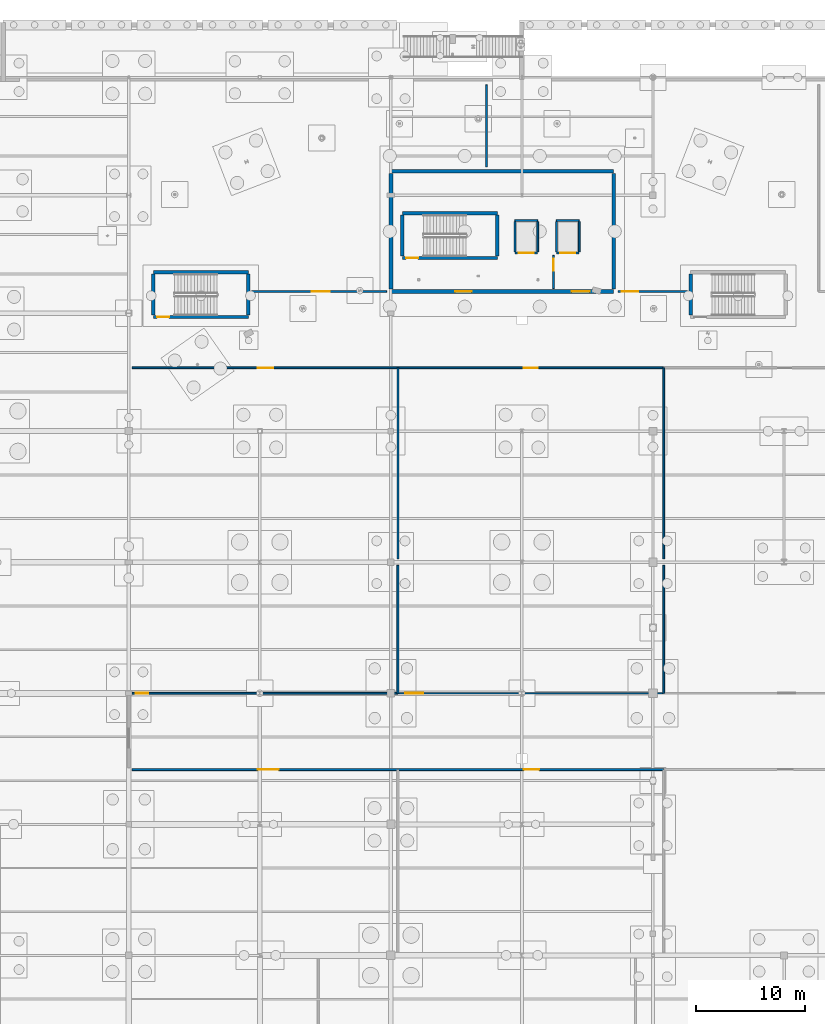
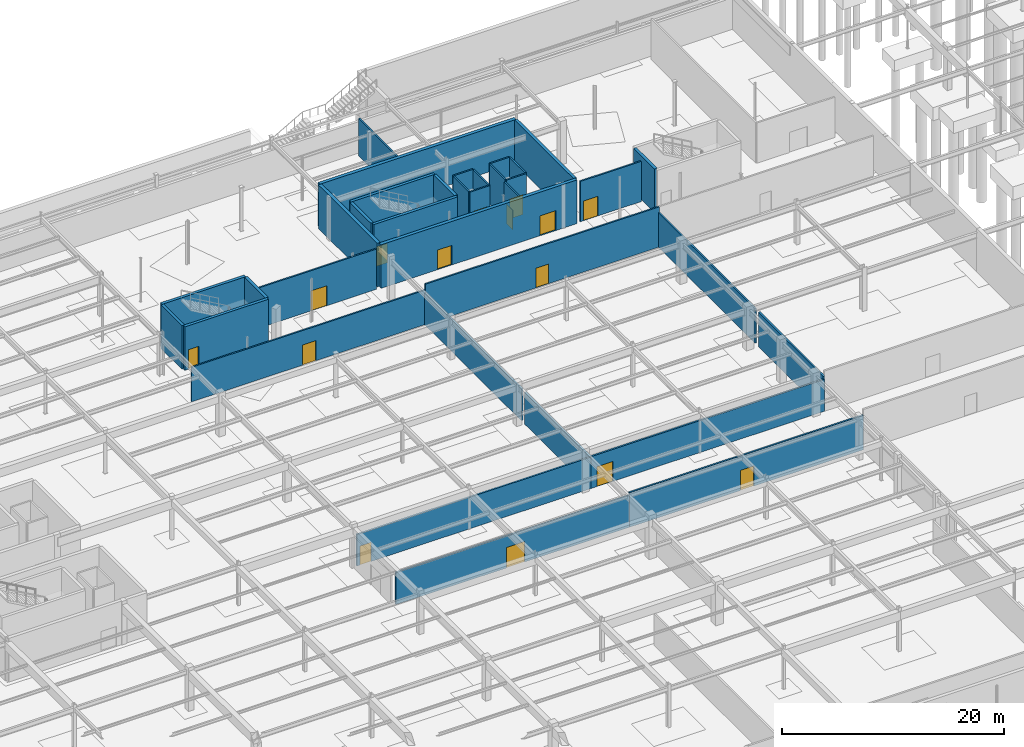
# One storey, part 122 of 136: 35 walls, 15 doors, 15 openings.
"""IFC4 building model written with IfcOpenShell, lengths in metres."""

from ifc_helpers import new_model, si_unit, direction, frame, frame_2d, origin, place, context, subcontext, project, spatial, rectangle, extrude, material, layer, layer_set, type_object, element, fill, save


model = new_model("IFC4")

# Units and contexts
model_context = context("Model", 3, precision=1e-05, world=origin(), true_north=direction((0.0, 1.0)))
body_context = subcontext(model_context, "Body", "Model", "MODEL_VIEW")
ifc_project = project(units=[si_unit("LENGTHUNIT", "METRE"), si_unit("AREAUNIT", "SQUARE_METRE"), si_unit("VOLUMEUNIT", "CUBIC_METRE"), si_unit("PLANEANGLEUNIT", "RADIAN"), si_unit("MASSUNIT", "GRAM", prefix="KILO")], contexts=[model_context])

# Site, building, storey
site_placement = place(None, origin())
site = spatial("IfcSite", under=ifc_project, at=site_placement, CompositionType="ELEMENT")
building_placement = place(site_placement, origin())
building = spatial("IfcBuilding", under=site, at=building_placement, Name="Tarnwether General Hospital", CompositionType="ELEMENT")
storey_placement = place(building_placement, frame((0.0, 0.0, -4.800048828125)))
storey = spatial("IfcBuildingStorey", under=building, at=storey_placement, Name="LG", CompositionType="ELEMENT", Elevation=-4.800048828125)

# Wall, opening, door
ifc_material_1 = material(Name="Gypsum plasterboard")
ifc_layer_1 = layer(ifc_material_1, 0.159912109375)
ifc_layer_set_1 = layer_set([ifc_layer_1], Name="Gypsum plasterboard")
wall_type_1 = type_object("IfcWallType", Name="WL-PT160", PredefinedType="PARTITIONING", material=ifc_layer_set_1)
wall_1_placement = place(storey_placement, frame((95.360107421875, 109.909912109375, 0.0), z_axis=(0.0, 0.0, 1.0), x_axis=(1.0, 0.0, 0.0)))
wall_1 = element("IfcWall", 1, at=wall_1_placement, inside=storey, type_object=wall_type_1, Name="Lift L-01 Shaft Wall LSH-L-01-LG-S", PredefinedType="PARTITIONING", context=body_context, shape_type="SweptSolid", body=[
    extrude(rectangle(XDim=2.079833984375, YDim=0.159912109375, at=frame_2d((1.0400390625, 0.0))), origin(), (0.0, 0.0, 1.0), 4.429931640625),
])
opening_1_placement = place(wall_1_placement, frame((0.340087890625, 0.0, 0.0)))
opening_1 = element("IfcOpeningElement", 2, at=opening_1_placement, cuts=wall_1, Name="Opening LD-01", PredefinedType="OPENING", context=body_context, shape_type="SweptSolid", body=[
    extrude(rectangle(XDim=1.39990234375, YDim=2.199951171875, at=frame_2d((0.699951171875, 1.10009765625))), frame((0.0, 0.08984375, 0.0), z_axis=(0.0, -1.0, 0.0), x_axis=(1.0, 0.0, 0.0)), (0.0, 0.0, 1.0), 0.179931640625),
])
ifc_material_2 = material(Name="Anodised aluminium", Category="aluminium")
door_type_1 = type_object("IfcDoorType", Name="DR-LD01", OperationType="NOTDEFINED", PredefinedType="DOOR", material=ifc_material_2)
door_1_placement = place(opening_1_placement, origin())
door_1 = element("IfcDoor", 3, at=door_1_placement, inside=storey, type_object=door_type_1, Name="Lift L-01 Sliding Landing Door LG", OperationType="SLIDING_TO_LEFT", OverallHeight=2.199951171875, OverallWidth=1.39990234375, PredefinedType="DOOR", context=body_context, shape_type="SweptSolid", body=[
    extrude(rectangle(XDim=1.39990234375, YDim=2.199951171875, at=frame_2d((0.699951171875, 1.10009765625))), frame((0.0, 0.02490234375, 0.0), z_axis=(0.0, -1.0, 0.0), x_axis=(1.0, 0.0, 0.0)), (0.0, 0.0, 1.0), 0.050048828125),
])
fill(opening_1, door_1)

# Walls
wall_2_placement = place(storey_placement, frame((97.43994140625, 112.889892578125, 0.0), z_axis=(0.0, 0.0, 1.0), x_axis=(-1.0, 0.0, 0.0)))
element("IfcWall", 4, at=wall_2_placement, inside=storey, type_object=wall_type_1, Name="Lift L-01 Shaft Wall LSH-L-01-LG-N", PredefinedType="PARTITIONING", context=body_context, shape_type="SweptSolid", body=[
    extrude(rectangle(XDim=2.079833984375, YDim=0.159912109375, at=frame_2d((1.0400390625, 0.0))), origin(), (0.0, 0.0, 1.0), 4.429931640625),
])
for number, where, z_axis, x_axis, name in (
    (5, (95.360107421875, 112.7900390625, 0.0), (0.0, 0.0, 1.0), (0.0, -1.0, 0.0), "Lift L-01 Shaft Wall LSH-L-01-LG-W"),
    (6, (97.43994140625, 110.010009765625, 0.0), (0.0, 0.0, 1.0), (0.0, 1.0, 0.0), "Lift L-01 Shaft Wall LSH-L-01-LG-E"),
):
    element("IfcWall", number, at=place(storey_placement, frame(where, z_axis=z_axis, x_axis=x_axis)), inside=storey, type_object=wall_type_1, Name=name, PredefinedType="PARTITIONING", context=body_context, shape_type="SweptSolid", body=[
        extrude(rectangle(XDim=2.780029296875, YDim=0.159912109375, at=frame_2d((1.39013671875, 0.0))), origin(), (0.0, 0.0, 1.0), 4.429931640625),
    ])

# Wall, opening, door
wall_3_placement = place(storey_placement, frame((99.159912109375, 109.909912109375, 0.0), z_axis=(0.0, 0.0, 1.0), x_axis=(1.0, 0.0, 0.0)))
wall_3 = element("IfcWall", 7, at=wall_3_placement, inside=storey, type_object=wall_type_1, Name="Lift L-03 Shaft Wall LSH-L-03-LG-S", PredefinedType="PARTITIONING", context=body_context, shape_type="SweptSolid", body=[
    extrude(rectangle(XDim=2.080078125, YDim=0.159912109375, at=frame_2d((1.0400390625, 0.0))), origin(), (0.0, 0.0, 1.0), 4.429931640625),
])
opening_2_placement = place(wall_3_placement, frame((0.340087890625, 0.0, 0.0)))
opening_2 = element("IfcOpeningElement", 8, at=opening_2_placement, cuts=wall_3, Name="Opening LD-01", PredefinedType="OPENING", context=body_context, shape_type="SweptSolid", body=[
    extrude(rectangle(XDim=1.39990234375, YDim=2.199951171875, at=frame_2d((0.699951171875, 1.10009765625))), frame((0.0, 0.08984375, 0.0), z_axis=(0.0, -1.0, 0.0), x_axis=(1.0, 0.0, 0.0)), (0.0, 0.0, 1.0), 0.179931640625),
])
door_2_placement = place(opening_2_placement, origin())
door_2 = element("IfcDoor", 9, at=door_2_placement, inside=storey, type_object=door_type_1, Name="Lift L-03 Sliding Landing Door LG", OperationType="SLIDING_TO_LEFT", OverallHeight=2.199951171875, OverallWidth=1.39990234375, PredefinedType="DOOR", context=body_context, shape_type="SweptSolid", body=[
    extrude(rectangle(XDim=1.39990234375, YDim=2.199951171875, at=frame_2d((0.699951171875, 1.10009765625))), frame((0.0, 0.02490234375, 0.0), z_axis=(0.0, -1.0, 0.0), x_axis=(1.0, 0.0, 0.0)), (0.0, 0.0, 1.0), 0.050048828125),
])
fill(opening_2, door_2)

# Walls
wall_4_placement = place(storey_placement, frame((101.239990234375, 112.889892578125, 0.0), z_axis=(0.0, 0.0, 1.0), x_axis=(-1.0, 0.0, 0.0)))
element("IfcWall", 10, at=wall_4_placement, inside=storey, type_object=wall_type_1, Name="Lift L-03 Shaft Wall LSH-L-03-LG-N", PredefinedType="PARTITIONING", context=body_context, shape_type="SweptSolid", body=[
    extrude(rectangle(XDim=2.080078125, YDim=0.159912109375, at=frame_2d((1.0400390625, 0.0))), origin(), (0.0, 0.0, 1.0), 4.429931640625),
])
for number, where, z_axis, x_axis, name in (
    (11, (99.159912109375, 112.7900390625, 0.0), (0.0, 0.0, 1.0), (0.0, -1.0, 0.0), "Lift L-03 Shaft Wall LSH-L-03-LG-W"),
    (12, (101.239990234375, 110.010009765625, 0.0), (0.0, 0.0, 1.0), (0.0, 1.0, 0.0), "Lift L-03 Shaft Wall LSH-L-03-LG-E"),
):
    element("IfcWall", number, at=place(storey_placement, frame(where, z_axis=z_axis, x_axis=x_axis)), inside=storey, type_object=wall_type_1, Name=name, PredefinedType="PARTITIONING", context=body_context, shape_type="SweptSolid", body=[
        extrude(rectangle(XDim=2.780029296875, YDim=0.159912109375, at=frame_2d((1.39013671875, 0.0))), origin(), (0.0, 0.0, 1.0), 4.429931640625),
    ])

# Wall, opening, door
wall_5_placement = place(storey_placement, frame((98.89990234375, 106.64990234375, 0.0), z_axis=(0.0, 0.0, 1.0), x_axis=(0.0, 1.0, 0.0)))
wall_5 = element("IfcWall", 13, at=wall_5_placement, inside=storey, type_object=wall_type_1, Name="Firefighting Lobby Divider K1 LG", PredefinedType="PARTITIONING", context=body_context, shape_type="SweptSolid", body=[
    extrude(rectangle(XDim=3.050048828125, YDim=0.159912109375, at=frame_2d((1.52490234375, 0.0))), origin(), (0.0, 0.0, 1.0), 4.429931640625),
])
opening_3_placement = place(wall_5_placement, frame((1.6298828125, 0.0, 0.0)))
opening_3 = element("IfcOpeningElement", 14, at=opening_3_placement, cuts=wall_5, Name="Opening FD-06", PredefinedType="OPENING", context=body_context, shape_type="SweptSolid", body=[
    extrude(rectangle(XDim=1.10009765625, YDim=2.14990234375, at=frame_2d((0.550048828125, 1.074951171875))), frame((0.0, 0.08984375, 0.0), z_axis=(0.0, -1.0, 0.0), x_axis=(1.0, 0.0, 0.0)), (0.0, 0.0, 1.0), 0.179931640625),
])
ifc_material_3 = material(Name="Anodised aluminium", Category="aluminium")
door_type_2 = type_object("IfcDoorType", Name="DR-FD06", OperationType="NOTDEFINED", PredefinedType="DOOR", material=ifc_material_3)
door_3_placement = place(opening_3_placement, origin())
door_3 = element("IfcDoor", 15, at=door_3_placement, inside=storey, type_object=door_type_2, Name="Core K1 Inter-Lobby Smoke Door LG", OperationType="SINGLE_SWING_RIGHT", OverallHeight=2.14990234375, OverallWidth=1.10009765625, PredefinedType="DOOR", context=body_context, shape_type="SweptSolid", body=[
    extrude(rectangle(XDim=1.10009765625, YDim=2.14990234375, at=frame_2d((0.550048828125, 1.074951171875))), frame((0.0, 0.02490234375, 0.0), z_axis=(0.0, -1.0, 0.0), x_axis=(1.0, 0.0, 0.0)), (0.0, 0.0, 1.0), 0.050048828125),
])
fill(opening_3, door_3)

wall_6_placement = place(storey_placement, frame((60.300048828125, 99.39990234375, 0.0), z_axis=(0.0, 0.0, 1.0), x_axis=(1.0, 0.0, 0.0)))
wall_6 = element("IfcWall", 16, at=wall_6_placement, inside=storey, type_object=wall_type_1, Name="Interior Partition PT-LG-0043", PredefinedType="PARTITIONING", context=body_context, shape_type="SweptSolid", body=[
    extrude(rectangle(XDim=24.343017578125, YDim=0.159912109375, at=frame_2d((12.17138671875, 0.0))), origin(), (0.0, 0.0, 1.0), 3.802978515625),
])
opening_4_placement = place(wall_6_placement, frame((11.52099609375, 0.0, 0.0)))
opening_4 = element("IfcOpeningElement", 17, at=opening_4_placement, cuts=wall_6, Name="Opening D-01", PredefinedType="OPENING", context=body_context, shape_type="SweptSolid", body=[
    extrude(rectangle(XDim=1.419921875, YDim=2.219970703125, at=frame_2d((0.7099609375, 1.10986328125))), frame((0.0, 0.08984375, 0.0), z_axis=(0.0, -1.0, 0.0), x_axis=(1.0, 0.0, 0.0)), (0.0, 0.0, 1.0), 0.179931640625),
])
ifc_material_4 = material(Name="Anodised aluminium", Category="aluminium")
door_type_3 = type_object("IfcDoorType", Name="DR-IN01", OperationType="NOTDEFINED", PredefinedType="DOOR", material=ifc_material_4)
door_4_placement = place(opening_4_placement, origin())
door_4 = element("IfcDoor", 18, at=door_4_placement, inside=storey, type_object=door_type_3, Name="Interior Door DR-LG-0025", OperationType="SINGLE_SWING_LEFT", OverallHeight=2.219970703125, OverallWidth=1.419921875, PredefinedType="DOOR", context=body_context, shape_type="SweptSolid", body=[
    extrude(rectangle(XDim=1.419921875, YDim=2.219970703125, at=frame_2d((0.7099609375, 1.10986328125))), frame((0.0, 0.02490234375, 0.0), z_axis=(0.0, -1.0, 0.0), x_axis=(1.0, 0.0, 0.0)), (0.0, 0.0, 1.0), 0.050048828125),
])
fill(opening_4, door_4)

# Wall
wall_7_placement = place(storey_placement, frame((84.64306640625, 81.89990234375, 0.0), z_axis=(0.0, 0.0, 1.0), x_axis=(0.0, 1.0, 0.0)))
element("IfcWall", 19, at=wall_7_placement, inside=storey, type_object=wall_type_1, Name="Interior Partition PT-LG-0044", PredefinedType="PARTITIONING", context=body_context, shape_type="SweptSolid", body=[
    extrude(rectangle(XDim=17.5, YDim=0.159912109375, at=frame_2d((8.75, 0.0))), origin(), (0.0, 0.0, 1.0), 3.51513671875),
])

# Wall, opening, door
wall_8_placement = place(storey_placement, frame((84.64306640625, 99.39990234375, 0.0), z_axis=(0.0, 0.0, 1.0), x_axis=(1.0, 0.0, 0.0)))
wall_8 = element("IfcWall", 20, at=wall_8_placement, inside=storey, type_object=wall_type_1, Name="Interior Partition PT-LG-0045", PredefinedType="PARTITIONING", context=body_context, shape_type="SweptSolid", body=[
    extrude(rectangle(XDim=24.343017578125, YDim=0.159912109375, at=frame_2d((12.17138671875, 0.0))), origin(), (0.0, 0.0, 1.0), 4.429931640625),
])
opening_5_placement = place(wall_8_placement, frame((11.52099609375, 0.0, 0.0)))
opening_5 = element("IfcOpeningElement", 21, at=opening_5_placement, cuts=wall_8, Name="Opening D-03", PredefinedType="OPENING", context=body_context, shape_type="SweptSolid", body=[
    extrude(rectangle(XDim=1.300048828125, YDim=2.159912109375, at=frame_2d((0.64990234375, 1.080078125))), frame((0.0, 0.08984375, 0.0), z_axis=(0.0, -1.0, 0.0), x_axis=(1.0, 0.0, 0.0)), (0.0, 0.0, 1.0), 0.179931640625),
])
ifc_material_5 = material(Name="Anodised aluminium", Category="aluminium")
door_type_4 = type_object("IfcDoorType", Name="DR-IN03", OperationType="NOTDEFINED", PredefinedType="DOOR", material=ifc_material_5)
door_5_placement = place(opening_5_placement, origin())
door_5 = element("IfcDoor", 22, at=door_5_placement, inside=storey, type_object=door_type_4, Name="Interior Door DR-LG-0026", OperationType="SINGLE_SWING_RIGHT", OverallHeight=2.159912109375, OverallWidth=1.300048828125, PredefinedType="DOOR", context=body_context, shape_type="SweptSolid", body=[
    extrude(rectangle(XDim=1.300048828125, YDim=2.159912109375, at=frame_2d((0.64990234375, 1.080078125))), frame((0.0, 0.02490234375, 0.0), z_axis=(0.0, -1.0, 0.0), x_axis=(1.0, 0.0, 0.0)), (0.0, 0.0, 1.0), 0.050048828125),
])
fill(opening_5, door_5)

# Wall
wall_9_placement = place(storey_placement, frame((108.986083984375, 81.89990234375, 0.0), z_axis=(0.0, 0.0, 1.0), x_axis=(0.0, 1.0, 0.0)))
element("IfcWall", 23, at=wall_9_placement, inside=storey, type_object=wall_type_1, Name="Interior Partition PT-LG-0046", PredefinedType="PARTITIONING", context=body_context, shape_type="SweptSolid", body=[
    extrude(rectangle(XDim=17.5, YDim=0.159912109375, at=frame_2d((8.75, 0.0))), origin(), (0.0, 0.0, 1.0), 3.802978515625),
])

# Wall, opening, door
wall_10_placement = place(storey_placement, frame((71.25, 106.39990234375, 0.0), z_axis=(0.0, 0.0, 1.0), x_axis=(1.0, 0.0, 0.0)))
wall_10 = element("IfcWall", 24, at=wall_10_placement, inside=storey, type_object=wall_type_1, Name="Interior Partition PT-LG-0048", PredefinedType="PARTITIONING", context=body_context, shape_type="SweptSolid", body=[
    extrude(rectangle(XDim=12.35009765625, YDim=0.159912109375, at=frame_2d((6.175048828125, 0.0))), origin(), (0.0, 0.0, 1.0), 4.429931640625),
])
opening_6_placement = place(wall_10_placement, frame((5.52490234375, 0.0, 0.0)))
opening_6 = element("IfcOpeningElement", 25, at=opening_6_placement, cuts=wall_10, Name="Opening FD-01", PredefinedType="OPENING", context=body_context, shape_type="SweptSolid", body=[
    extrude(rectangle(XDim=1.639892578125, YDim=2.199951171875, at=frame_2d((0.81982421875, 1.10009765625))), frame((0.0, 0.08984375, 0.0), z_axis=(0.0, -1.0, 0.0), x_axis=(1.0, 0.0, 0.0)), (0.0, 0.0, 1.0), 0.179931640625),
])
ifc_material_6 = material(Name="Anodised aluminium", Category="aluminium")
door_type_5 = type_object("IfcDoorType", Name="DR-FD01", OperationType="NOTDEFINED", PredefinedType="DOOR", material=ifc_material_6)
door_6_placement = place(opening_6_placement, origin())
door_6 = element("IfcDoor", 26, at=door_6_placement, inside=storey, type_object=door_type_5, Name="Interior Door DR-LG-0028", OperationType="DOUBLE_DOOR_SINGLE_SWING", OverallHeight=2.199951171875, OverallWidth=1.639892578125, PredefinedType="DOOR", context=body_context, shape_type="SweptSolid", body=[
    extrude(rectangle(XDim=1.639892578125, YDim=2.199951171875, at=frame_2d((0.81982421875, 1.10009765625))), frame((0.0, 0.02490234375, 0.0), z_axis=(0.0, -1.0, 0.0), x_axis=(1.0, 0.0, 0.0)), (0.0, 0.0, 1.0), 0.050048828125),
])
fill(opening_6, door_6)

# Wall
wall_11_placement = place(storey_placement, frame((92.757080078125, 117.800048828125, 0.0), z_axis=(0.0, 0.0, 1.0), x_axis=(0.0, 1.0, 0.0)))
element("IfcWall", 27, at=wall_11_placement, inside=storey, type_object=wall_type_1, Name="Interior Partition PT-LG-0049", PredefinedType="PARTITIONING", context=body_context, shape_type="SweptSolid", body=[
    extrude(rectangle(XDim=7.5, YDim=0.159912109375, at=frame_2d((3.75, 0.0))), origin(), (0.0, 0.0, 1.0), 4.111083984375),
])

# Wall, opening, door
wall_12_placement = place(storey_placement, frame((104.800048828125, 106.39990234375, 0.0), z_axis=(0.0, 0.0, 1.0), x_axis=(1.0, 0.0, 0.0)))
wall_12 = element("IfcWall", 28, at=wall_12_placement, inside=storey, type_object=wall_type_1, Name="Interior Partition PT-LG-0050", PredefinedType="PARTITIONING", context=body_context, shape_type="SweptSolid", body=[
    extrude(rectangle(XDim=6.349853515625, YDim=0.159912109375, at=frame_2d((3.1748046875, 0.0))), origin(), (0.0, 0.0, 1.0), 4.429931640625),
])
opening_7_placement = place(wall_12_placement, frame((0.320068359375, 0.0, 0.0)))
opening_7 = element("IfcOpeningElement", 29, at=opening_7_placement, cuts=wall_12, Name="Opening FD-02", PredefinedType="OPENING", context=body_context, shape_type="SweptSolid", body=[
    extrude(rectangle(XDim=1.52001953125, YDim=2.159912109375, at=frame_2d((0.760009765625, 1.080078125))), frame((0.0, 0.08984375, 0.0), z_axis=(0.0, -1.0, 0.0), x_axis=(1.0, 0.0, 0.0)), (0.0, 0.0, 1.0), 0.179931640625),
])
ifc_material_7 = material(Name="Anodised aluminium", Category="aluminium")
door_type_6 = type_object("IfcDoorType", Name="DR-FD02", OperationType="NOTDEFINED", PredefinedType="DOOR", material=ifc_material_7)
door_7_placement = place(opening_7_placement, origin())
door_7 = element("IfcDoor", 30, at=door_7_placement, inside=storey, type_object=door_type_6, Name="Interior Door DR-LG-0029", OperationType="SINGLE_SWING_LEFT", OverallHeight=2.159912109375, OverallWidth=1.52001953125, PredefinedType="DOOR", context=body_context, shape_type="SweptSolid", body=[
    extrude(rectangle(XDim=1.52001953125, YDim=2.159912109375, at=frame_2d((0.760009765625, 1.080078125))), frame((0.0, 0.02490234375, 0.0), z_axis=(0.0, -1.0, 0.0), x_axis=(1.0, 0.0, 0.0)), (0.0, 0.0, 1.0), 0.050048828125),
])
fill(opening_7, door_7)

ifc_material_8 = material(Name="Gypsum plasterboard")
ifc_layer_2 = layer(ifc_material_8, 0.179931640625)
ifc_layer_set_2 = layer_set([ifc_layer_2], Name="Gypsum plasterboard")
wall_type_2 = type_object("IfcWallType", Name="WL-PT180", PredefinedType="PARTITIONING", material=ifc_layer_set_2)
wall_13_placement = place(storey_placement, frame((60.300048828125, 62.60009765625, 0.0), z_axis=(0.0, 0.0, 1.0), x_axis=(1.0, 0.0, 0.0)))
wall_13 = element("IfcWall", 31, at=wall_13_placement, inside=storey, type_object=wall_type_2, Name="Interior Partition PT-LG-0021", PredefinedType="PARTITIONING", context=body_context, shape_type="SweptSolid", body=[
    extrude(rectangle(XDim=24.343017578125, YDim=0.179931640625, at=frame_2d((12.17138671875, 0.0))), origin(), (0.0, 0.0, 1.0), 3.51513671875),
])
opening_8_placement = place(wall_13_placement, frame((11.52099609375, 0.0, 0.0)))
opening_8 = element("IfcOpeningElement", 32, at=opening_8_placement, cuts=wall_13, Name="Opening FD-08", PredefinedType="OPENING", context=body_context, shape_type="SweptSolid", body=[
    extrude(rectangle(XDim=1.89990234375, YDim=2.25, at=frame_2d((0.949951171875, 1.125))), frame((0.0, 0.10009765625, 0.0), z_axis=(0.0, -1.0, 0.0), x_axis=(1.0, 0.0, 0.0)), (0.0, 0.0, 1.0), 0.199951171875),
])
ifc_material_9 = material(Name="Anodised aluminium", Category="aluminium")
door_type_7 = type_object("IfcDoorType", Name="DR-FD08", OperationType="NOTDEFINED", PredefinedType="DOOR", material=ifc_material_9)
door_8_placement = place(opening_8_placement, origin())
door_8 = element("IfcDoor", 33, at=door_8_placement, inside=storey, type_object=door_type_7, Name="Interior Door DR-LG-0012", OperationType="DOUBLE_DOOR_SINGLE_SWING", OverallHeight=2.25, OverallWidth=1.89990234375, PredefinedType="DOOR", context=body_context, shape_type="SweptSolid", body=[
    extrude(rectangle(XDim=1.89990234375, YDim=2.25, at=frame_2d((0.949951171875, 1.125))), frame((0.0, 0.02490234375, 0.0), z_axis=(0.0, -1.0, 0.0), x_axis=(1.0, 0.0, 0.0)), (0.0, 0.0, 1.0), 0.050048828125),
])
fill(opening_8, door_8)

wall_14_placement = place(storey_placement, frame((84.64306640625, 62.60009765625, 0.0), z_axis=(0.0, 0.0, 1.0), x_axis=(1.0, 0.0, 0.0)))
wall_14 = element("IfcWall", 34, at=wall_14_placement, inside=storey, type_object=wall_type_2, Name="Interior Partition PT-LG-0023", PredefinedType="PARTITIONING", context=body_context, shape_type="SweptSolid", body=[
    extrude(rectangle(XDim=24.343017578125, YDim=0.179931640625, at=frame_2d((12.17138671875, 0.0))), origin(), (0.0, 0.0, 1.0), 3.802978515625),
])
opening_9_placement = place(wall_14_placement, frame((11.52099609375, 0.0, 0.0)))
opening_9 = element("IfcOpeningElement", 35, at=opening_9_placement, cuts=wall_14, Name="Opening D-01", PredefinedType="OPENING", context=body_context, shape_type="SweptSolid", body=[
    extrude(rectangle(XDim=1.419921875, YDim=2.219970703125, at=frame_2d((0.7099609375, 1.10986328125))), frame((0.0, 0.10009765625, 0.0), z_axis=(0.0, -1.0, 0.0), x_axis=(1.0, 0.0, 0.0)), (0.0, 0.0, 1.0), 0.199951171875),
])
door_9_placement = place(opening_9_placement, origin())
door_9 = element("IfcDoor", 36, at=door_9_placement, inside=storey, type_object=door_type_3, Name="Interior Door DR-LG-0013", OperationType="SINGLE_SWING_LEFT", OverallHeight=2.219970703125, OverallWidth=1.419921875, PredefinedType="DOOR", context=body_context, shape_type="SweptSolid", body=[
    extrude(rectangle(XDim=1.419921875, YDim=2.219970703125, at=frame_2d((0.7099609375, 1.10986328125))), frame((0.0, 0.02490234375, 0.0), z_axis=(0.0, -1.0, 0.0), x_axis=(1.0, 0.0, 0.0)), (0.0, 0.0, 1.0), 0.050048828125),
])
fill(opening_9, door_9)

wall_15_placement = place(storey_placement, frame((60.300048828125, 69.60009765625, 0.0), z_axis=(0.0, 0.0, 1.0), x_axis=(1.0, 0.0, 0.0)))
wall_15 = element("IfcWall", 37, at=wall_15_placement, inside=storey, type_object=wall_type_2, Name="Interior Partition PT-LG-0026", PredefinedType="PARTITIONING", context=body_context, shape_type="SweptSolid", body=[
    extrude(rectangle(XDim=24.343017578125, YDim=0.179931640625, at=frame_2d((12.17138671875, 0.0))), origin(), (0.0, 0.0, 1.0), 3.465087890625),
])
opening_10_placement = place(wall_15_placement, frame((0.320068359375, 0.0, 0.0)))
opening_10 = element("IfcOpeningElement", 38, at=opening_10_placement, cuts=wall_15, Name="Opening D-06", PredefinedType="OPENING", context=body_context, shape_type="SweptSolid", body=[
    extrude(rectangle(XDim=1.159912109375, YDim=2.10009765625, at=frame_2d((0.580078125, 1.050048828125))), frame((0.0, 0.10009765625, 0.0), z_axis=(0.0, -1.0, 0.0), x_axis=(1.0, 0.0, 0.0)), (0.0, 0.0, 1.0), 0.199951171875),
])
ifc_material_10 = material(Name="Anodised aluminium", Category="aluminium")
door_type_8 = type_object("IfcDoorType", Name="DR-IN06", OperationType="NOTDEFINED", PredefinedType="DOOR", material=ifc_material_10)
door_10_placement = place(opening_10_placement, origin())
door_10 = element("IfcDoor", 39, at=door_10_placement, inside=storey, type_object=door_type_8, Name="Interior Door DR-LG-0015", OperationType="SINGLE_SWING_LEFT", OverallHeight=2.10009765625, OverallWidth=1.159912109375, PredefinedType="DOOR", context=body_context, shape_type="SweptSolid", body=[
    extrude(rectangle(XDim=1.159912109375, YDim=2.10009765625, at=frame_2d((0.580078125, 1.050048828125))), frame((0.0, 0.02490234375, 0.0), z_axis=(0.0, -1.0, 0.0), x_axis=(1.0, 0.0, 0.0)), (0.0, 0.0, 1.0), 0.050048828125),
])
fill(opening_10, door_10)

# Wall
wall_16_placement = place(storey_placement, frame((84.64306640625, 69.60009765625, 0.0), z_axis=(0.0, 0.0, 1.0), x_axis=(0.0, 1.0, 0.0)))
element("IfcWall", 40, at=wall_16_placement, inside=storey, type_object=wall_type_2, Name="Interior Partition PT-LG-0027", PredefinedType="PARTITIONING", context=body_context, shape_type="SweptSolid", body=[
    extrude(rectangle(XDim=11.699951171875, YDim=0.179931640625, at=frame_2d((5.85009765625, 0.0))), origin(), (0.0, 0.0, 1.0), 3.51513671875),
])

# Wall, opening, door
wall_17_placement = place(storey_placement, frame((84.64306640625, 69.60009765625, 0.0), z_axis=(0.0, 0.0, 1.0), x_axis=(1.0, 0.0, 0.0)))
wall_17 = element("IfcWall", 41, at=wall_17_placement, inside=storey, type_object=wall_type_2, Name="Interior Partition PT-LG-0028", PredefinedType="PARTITIONING", context=body_context, shape_type="SweptSolid", body=[
    extrude(rectangle(XDim=24.343017578125, YDim=0.179931640625, at=frame_2d((12.17138671875, 0.0))), origin(), (0.0, 0.0, 1.0), 3.51513671875),
])
opening_11_placement = place(wall_17_placement, frame((0.669921875, 0.0, 0.0)))
opening_11 = element("IfcOpeningElement", 42, at=opening_11_placement, cuts=wall_17, Name="Opening FD-01", PredefinedType="OPENING", context=body_context, shape_type="SweptSolid", body=[
    extrude(rectangle(XDim=1.639892578125, YDim=2.199951171875, at=frame_2d((0.81982421875, 1.10009765625))), frame((0.0, 0.10009765625, 0.0), z_axis=(0.0, -1.0, 0.0), x_axis=(1.0, 0.0, 0.0)), (0.0, 0.0, 1.0), 0.199951171875),
])
door_11_placement = place(opening_11_placement, origin())
door_11 = element("IfcDoor", 43, at=door_11_placement, inside=storey, type_object=door_type_5, Name="Interior Door DR-LG-0016", OperationType="DOUBLE_DOOR_SINGLE_SWING", OverallHeight=2.199951171875, OverallWidth=1.639892578125, PredefinedType="DOOR", context=body_context, shape_type="SweptSolid", body=[
    extrude(rectangle(XDim=1.639892578125, YDim=2.199951171875, at=frame_2d((0.81982421875, 1.10009765625))), frame((0.0, 0.02490234375, 0.0), z_axis=(0.0, -1.0, 0.0), x_axis=(1.0, 0.0, 0.0)), (0.0, 0.0, 1.0), 0.050048828125),
])
fill(opening_11, door_11)

# Walls
wall_18_placement = place(storey_placement, frame((108.986083984375, 69.60009765625, 0.0), z_axis=(0.0, 0.0, 1.0), x_axis=(0.0, 1.0, 0.0)))
element("IfcWall", 44, at=wall_18_placement, inside=storey, type_object=wall_type_2, Name="Interior Partition PT-LG-0029", PredefinedType="PARTITIONING", context=body_context, shape_type="SweptSolid", body=[
    extrude(rectangle(XDim=11.699951171875, YDim=0.179931640625, at=frame_2d((5.85009765625, 0.0))), origin(), (0.0, 0.0, 1.0), 3.802978515625),
])
ifc_material_11 = material(Name="Concrete 50 MPa", Category="concrete")
ifc_layer_3 = layer(ifc_material_11, 0.300048828125)
ifc_layer_set_3 = layer_set([ifc_layer_3], Name="Concrete 50 MPa")
wall_type_3 = type_object("IfcWallType", Name="WL-SW300", PredefinedType="SHEAR", material=ifc_layer_set_3)
wall_19_placement = place(storey_placement, frame((104.39990234375, 117.199951171875, 0.0), z_axis=(0.0, 0.0, 1.0), x_axis=(0.0, -1.0, 0.0)))
element("IfcWall", 45, at=wall_19_placement, inside=storey, type_object=wall_type_3, Name="Core Shear Wall CWALL-K1-LG-E", PredefinedType="SHEAR", context=body_context, shape_type="SweptSolid", body=[
    extrude(rectangle(XDim=10.599853515625, YDim=0.300048828125, at=frame_2d((5.2998046875, 0.0))), origin(), (0.0, 0.0, 1.0), 4.800048828125),
])

# Wall, opening, door
wall_20_placement = place(storey_placement, frame((85.050048828125, 109.449951171875, 0.0), z_axis=(0.0, 0.0, 1.0), x_axis=(1.0, 0.0, 0.0)))
wall_20 = element("IfcWall", 46, at=wall_20_placement, inside=storey, type_object=wall_type_3, Name="Stairwell Shear Wall STW-ST-01-LG-B", PredefinedType="SHEAR", context=body_context, shape_type="SweptSolid", body=[
    extrude(rectangle(XDim=8.699951171875, YDim=0.300048828125, at=frame_2d((4.35009765625, 0.0))), origin(), (0.0, 0.0, 1.0), 4.800048828125),
])
opening_12_placement = place(wall_20_placement, frame((0.35009765625, 0.0, 0.0)))
opening_12 = element("IfcOpeningElement", 47, at=opening_12_placement, cuts=wall_20, Name="Opening FD-06", PredefinedType="OPENING", context=body_context, shape_type="SweptSolid", body=[
    extrude(rectangle(XDim=1.10009765625, YDim=2.14990234375, at=frame_2d((0.550048828125, 1.074951171875))), frame((0.0, 0.16015625, 0.0), z_axis=(0.0, -1.0, 0.0), x_axis=(1.0, 0.0, 0.0)), (0.0, 0.0, 1.0), 0.320068359375),
])
door_12_placement = place(opening_12_placement, origin())
door_12 = element("IfcDoor", 48, at=door_12_placement, inside=storey, type_object=door_type_2, Name="Stairwell ST-01 Safe-Path Fire Door LG", OperationType="SINGLE_SWING_LEFT", OverallHeight=2.14990234375, OverallWidth=1.10009765625, PredefinedType="DOOR", context=body_context, shape_type="SweptSolid", body=[
    extrude(rectangle(XDim=1.10009765625, YDim=2.14990234375, at=frame_2d((0.550048828125, 1.074951171875))), frame((0.0, 0.02490234375, 0.0), z_axis=(0.0, -1.0, 0.0), x_axis=(1.0, 0.0, 0.0)), (0.0, 0.0, 1.0), 0.050048828125),
])
fill(opening_12, door_12)

# Walls
wall_21_placement = place(storey_placement, frame((93.75, 113.550048828125, 0.0), z_axis=(0.0, 0.0, 1.0), x_axis=(-1.0, 0.0, 0.0)))
element("IfcWall", 49, at=wall_21_placement, inside=storey, type_object=wall_type_3, Name="Stairwell Shear Wall STW-ST-01-LG-N", PredefinedType="SHEAR", context=body_context, shape_type="SweptSolid", body=[
    extrude(rectangle(XDim=8.699951171875, YDim=0.300048828125, at=frame_2d((4.35009765625, 0.0))), origin(), (0.0, 0.0, 1.0), 4.800048828125),
])
for number, where, z_axis, x_axis, name in (
    (50, (85.050048828125, 109.6201171875, 0.0), (0.0, 0.0, 1.0), (0.0, 1.0, 0.0), "Stairwell Shear Wall STW-ST-01-LG-L"),
    (51, (93.75, 109.6201171875, 0.0), (0.0, 0.0, 1.0), (0.0, 1.0, 0.0), "Stairwell Shear Wall STW-ST-01-LG-F"),
):
    element("IfcWall", number, at=place(storey_placement, frame(where, z_axis=z_axis, x_axis=x_axis)), inside=storey, type_object=wall_type_3, Name=name, PredefinedType="SHEAR", context=body_context, shape_type="SweptSolid", body=[
        extrude(rectangle(XDim=3.759765625, YDim=0.300048828125, at=frame_2d((1.8798828125, 0.0))), origin(), (0.0, 0.0, 1.0), 4.800048828125),
    ])

# Wall, opening, door
wall_22_placement = place(storey_placement, frame((62.25, 104.050048828125, 0.0), z_axis=(0.0, 0.0, 1.0), x_axis=(1.0, 0.0, 0.0)))
wall_22 = element("IfcWall", 52, at=wall_22_placement, inside=storey, type_object=wall_type_3, Name="Stairwell Shear Wall STW-ST-07-LG-B", PredefinedType="SHEAR", context=body_context, shape_type="SweptSolid", body=[
    extrude(rectangle(XDim=8.699951171875, YDim=0.300048828125, at=frame_2d((4.35009765625, 0.0))), origin(), (0.0, 0.0, 1.0), 4.800048828125),
])
opening_13_placement = place(wall_22_placement, frame((0.35009765625, 0.0, 0.0)))
opening_13 = element("IfcOpeningElement", 53, at=opening_13_placement, cuts=wall_22, Name="Opening FD-06", PredefinedType="OPENING", context=body_context, shape_type="SweptSolid", body=[
    extrude(rectangle(XDim=1.10009765625, YDim=2.14990234375, at=frame_2d((0.550048828125, 1.074951171875))), frame((0.0, 0.16015625, 0.0), z_axis=(0.0, -1.0, 0.0), x_axis=(1.0, 0.0, 0.0)), (0.0, 0.0, 1.0), 0.320068359375),
])
door_13_placement = place(opening_13_placement, origin())
door_13 = element("IfcDoor", 54, at=door_13_placement, inside=storey, type_object=door_type_2, Name="Stairwell ST-07 Safe-Path Fire Door LG", OperationType="SINGLE_SWING_LEFT", OverallHeight=2.14990234375, OverallWidth=1.10009765625, PredefinedType="DOOR", context=body_context, shape_type="SweptSolid", body=[
    extrude(rectangle(XDim=1.10009765625, YDim=2.14990234375, at=frame_2d((0.550048828125, 1.074951171875))), frame((0.0, 0.02490234375, 0.0), z_axis=(0.0, -1.0, 0.0), x_axis=(1.0, 0.0, 0.0)), (0.0, 0.0, 1.0), 0.050048828125),
])
fill(opening_13, door_13)

# Walls
wall_23_placement = place(storey_placement, frame((70.949951171875, 108.14990234375, 0.0), z_axis=(0.0, 0.0, 1.0), x_axis=(-1.0, 0.0, 0.0)))
element("IfcWall", 55, at=wall_23_placement, inside=storey, type_object=wall_type_3, Name="Stairwell Shear Wall STW-ST-07-LG-N", PredefinedType="SHEAR", context=body_context, shape_type="SweptSolid", body=[
    extrude(rectangle(XDim=8.699951171875, YDim=0.300048828125, at=frame_2d((4.35009765625, 0.0))), origin(), (0.0, 0.0, 1.0), 4.800048828125),
])
for number, where, z_axis, x_axis, name in (
    (56, (62.25, 104.219970703125, 0.0), (0.0, 0.0, 1.0), (0.0, 1.0, 0.0), "Stairwell Shear Wall STW-ST-07-LG-L"),
    (57, (70.949951171875, 104.219970703125, 0.0), (0.0, 0.0, 1.0), (0.0, 1.0, 0.0), "Stairwell Shear Wall STW-ST-07-LG-F"),
    (58, (111.449951171875, 104.219970703125, 0.0), (0.0, 0.0, 1.0), (0.0, 1.0, 0.0), "Stairwell Shear Wall STW-ST-08-LG-L"),
):
    element("IfcWall", number, at=place(storey_placement, frame(where, z_axis=z_axis, x_axis=x_axis)), inside=storey, type_object=wall_type_3, Name=name, PredefinedType="SHEAR", context=body_context, shape_type="SweptSolid", body=[
        extrude(rectangle(XDim=3.760009765625, YDim=0.300048828125, at=frame_2d((1.8798828125, 0.0))), origin(), (0.0, 0.0, 1.0), 4.800048828125),
    ])
ifc_material_12 = material(Name="Concrete 50 MPa", Category="concrete")
ifc_layer_4 = layer(ifc_material_12, 0.35009765625)
ifc_layer_set_4 = layer_set([ifc_layer_4], Name="Concrete 50 MPa")
wall_type_4 = type_object("IfcWallType", Name="WL-SW350", PredefinedType="SHEAR", material=ifc_layer_set_4)
wall_24_placement = place(storey_placement, frame((84.0, 117.39990234375, 0.0), z_axis=(0.0, 0.0, 1.0), x_axis=(1.0, 0.0, 0.0)))
element("IfcWall", 59, at=wall_24_placement, inside=storey, type_object=wall_type_4, Name="Core Shear Wall CWALL-K1-LG-N", PredefinedType="SHEAR", context=body_context, shape_type="SweptSolid", body=[
    extrude(rectangle(XDim=20.39990234375, YDim=0.35009765625, at=frame_2d((10.199951171875, 0.0))), origin(), (0.0, 0.0, 1.0), 4.800048828125),
])

# Wall, openings, doors
wall_25_placement = place(storey_placement, frame((104.39990234375, 106.39990234375, 0.0), z_axis=(0.0, 0.0, 1.0), x_axis=(-1.0, 0.0, 0.0)))
wall_25 = element("IfcWall", 60, at=wall_25_placement, inside=storey, type_object=wall_type_4, Name="Core Shear Wall CWALL-K1-LG-S", PredefinedType="SHEAR", context=body_context, shape_type="SweptSolid", body=[
    extrude(rectangle(XDim=20.39990234375, YDim=0.35009765625, at=frame_2d((10.199951171875, 0.0))), origin(), (0.0, 0.0, 1.0), 4.800048828125),
])
opening_14_placement = place(wall_25_placement, frame((2.199951171875, 0.0, 0.0)))
opening_14 = element("IfcOpeningElement", 61, at=opening_14_placement, cuts=wall_25, Name="Opening FD-01", PredefinedType="OPENING", context=body_context, shape_type="SweptSolid", body=[
    extrude(rectangle(XDim=1.639892578125, YDim=2.199951171875, at=frame_2d((0.81982421875, 1.10009765625))), frame((0.0, 0.18505859375, 0.0), z_axis=(0.0, -1.0, 0.0), x_axis=(1.0, 0.0, 0.0)), (0.0, 0.0, 1.0), 0.3701171875),
])
opening_15_placement = place(wall_25_placement, frame((13.0, 0.0, 0.0)))
opening_15 = element("IfcOpeningElement", 62, at=opening_15_placement, cuts=wall_25, Name="Opening FD-02", PredefinedType="OPENING", context=body_context, shape_type="SweptSolid", body=[
    extrude(rectangle(XDim=1.52001953125, YDim=2.159912109375, at=frame_2d((0.760009765625, 1.080078125))), frame((0.0, 0.18505859375, 0.0), z_axis=(0.0, -1.0, 0.0), x_axis=(1.0, 0.0, 0.0)), (0.0, 0.0, 1.0), 0.3701171875),
])
door_14_placement = place(opening_14_placement, origin())
door_14 = element("IfcDoor", 63, at=door_14_placement, inside=storey, type_object=door_type_5, Name="Core K1 Lobby Fire Door LG", OperationType="DOUBLE_DOOR_SINGLE_SWING", OverallHeight=2.199951171875, OverallWidth=1.639892578125, PredefinedType="DOOR", context=body_context, shape_type="SweptSolid", body=[
    extrude(rectangle(XDim=1.639892578125, YDim=2.199951171875, at=frame_2d((0.81982421875, 1.10009765625))), frame((0.0, 0.02490234375, 0.0), z_axis=(0.0, -1.0, 0.0), x_axis=(1.0, 0.0, 0.0)), (0.0, 0.0, 1.0), 0.050048828125),
])
fill(opening_14, door_14)
door_15_placement = place(opening_15_placement, origin())
door_15 = element("IfcDoor", 64, at=door_15_placement, inside=storey, type_object=door_type_6, Name="Core K1 Firefighting Lobby Door LG", OperationType="SINGLE_SWING_RIGHT", OverallHeight=2.159912109375, OverallWidth=1.52001953125, PredefinedType="DOOR", context=body_context, shape_type="SweptSolid", body=[
    extrude(rectangle(XDim=1.52001953125, YDim=2.159912109375, at=frame_2d((0.760009765625, 1.080078125))), frame((0.0, 0.02490234375, 0.0), z_axis=(0.0, -1.0, 0.0), x_axis=(1.0, 0.0, 0.0)), (0.0, 0.0, 1.0), 0.050048828125),
])
fill(opening_15, door_15)

# Wall
wall_26_placement = place(storey_placement, frame((84.0, 106.60009765625, 0.0), z_axis=(0.0, 0.0, 1.0), x_axis=(0.0, 1.0, 0.0)))
element("IfcWall", 65, at=wall_26_placement, inside=storey, type_object=wall_type_4, Name="Core Shear Wall CWALL-K1-LG-W", PredefinedType="SHEAR", context=body_context, shape_type="SweptSolid", body=[
    extrude(rectangle(XDim=10.599853515625, YDim=0.35009765625, at=frame_2d((5.2998046875, 0.0))), origin(), (0.0, 0.0, 1.0), 4.800048828125),
])

save(model, "model.ifc")
